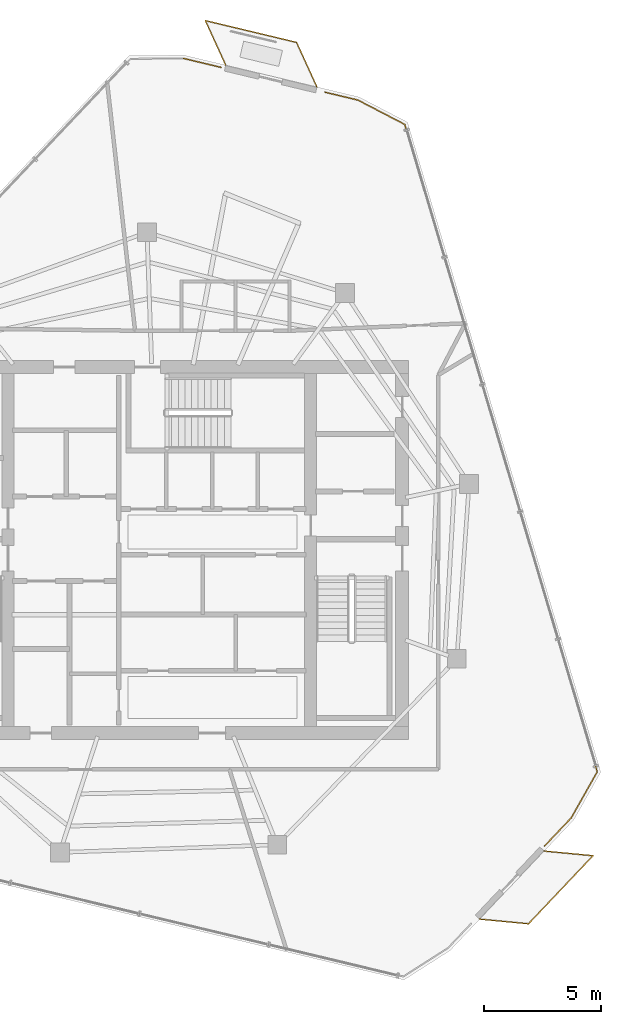
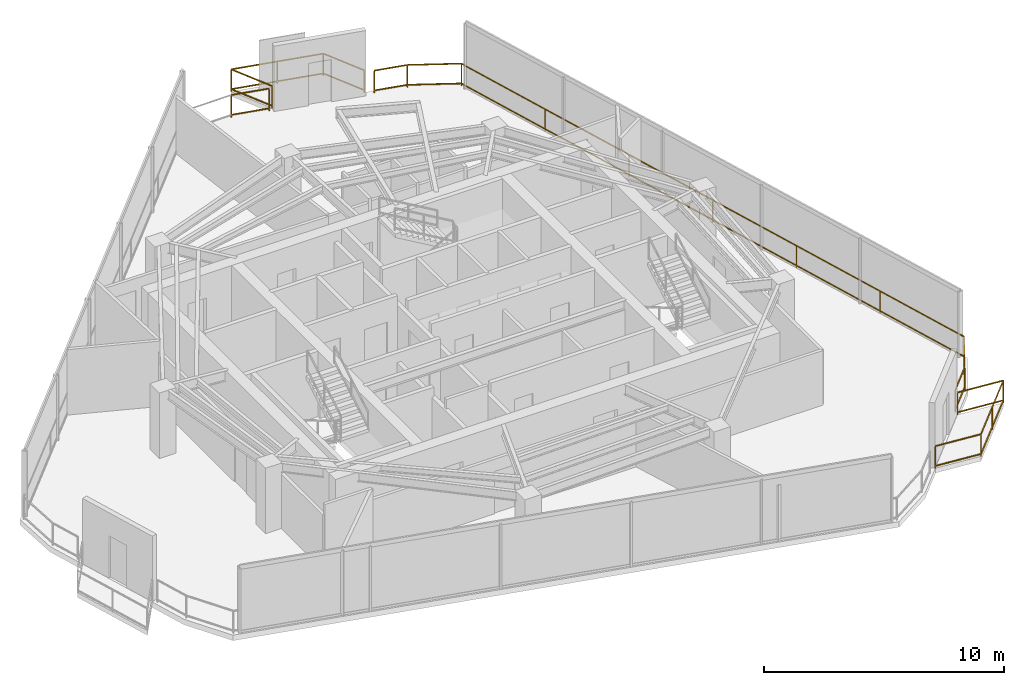
# One storey, part 18 of 18: 4 railings.
"""IFC4 building model written with IfcOpenShell, lengths in metres."""

from ifc_helpers import new_model, si_unit, direction, frame, origin, origin_2d, place, context, subcontext, project, spatial, rectangle, extrude, material, type_object, element, save


model = new_model("IFC4")

# Units and contexts
model_context = context("Model", 3, precision=1e-05, world=origin(), true_north=direction((0.0, 1.0)))
body_context = subcontext(model_context, "Body", "Model", "MODEL_VIEW")
ifc_project = project(units=[si_unit("LENGTHUNIT", "METRE"), si_unit("AREAUNIT", "SQUARE_METRE"), si_unit("VOLUMEUNIT", "CUBIC_METRE"), si_unit("PLANEANGLEUNIT", "RADIAN"), si_unit("MASSUNIT", "GRAM", prefix="KILO")], contexts=[model_context])

# Site, building, storey
site_placement = place(None, origin())
site = spatial("IfcSite", under=ifc_project, at=site_placement, CompositionType="ELEMENT")
building_placement = place(site_placement, origin())
building = spatial("IfcBuilding", under=site, at=building_placement, Name="Qarnah Convention Tower", CompositionType="ELEMENT")
storey_placement = place(building_placement, frame((0.0, 0.0, 242.699951171875)))
storey = spatial("IfcBuildingStorey", under=building, at=storey_placement, Name="L65", CompositionType="ELEMENT", Elevation=242.699951171875)

# Railings
ifc_material = material(Name="Black anodised aluminium", Category="aluminium")
railing_type = type_object("IfcRailingType", Name="RL-EXT-GUARD-1150", PredefinedType="GUARDRAIL", material=ifc_material)
railing_1_placement = place(storey_placement, frame((38.279052734375, 47.35595703125, 0.0)))
element("IfcRailing", 1, at=railing_1_placement, inside=storey, type_object=railing_type, Name="L65 slab-edge perimeter safety guard 01", PredefinedType="GUARDRAIL", context=body_context, shape_type="SweptSolid", body=[
    extrude(rectangle(XDim=0.048095703125, YDim=0.048095703125, at=origin_2d()), frame((0.0, 0.0, 1.1259765625), z_axis=(0.97261675535, -0.23241481711, 0.0), x_axis=(0.23241481711, 0.97261675535, 0.0)), (0.0, 0.0, 1.0), 1.648193359375),
    extrude(rectangle(XDim=0.048095703125, YDim=0.048095703125, at=origin_2d()), frame((0.0, 0.0, 0.1201171875), z_axis=(0.97261675535, -0.23241481711, 0.0), x_axis=(0.23241481711, 0.97261675535, 0.0)), (0.0, 0.0, 1.0), 1.648193359375),
    extrude(rectangle(XDim=0.0419921875, YDim=0.0419921875, at=origin_2d()), origin(), (0.0, 0.0, 1.0), 1.101806640625),
    extrude(rectangle(XDim=0.0419921875, YDim=0.0419921875, at=origin_2d()), frame((1.60302734375, -0.383056640625, 0.0)), (0.0, 0.0, 1.0), 1.101806640625),
])
railing_2_placement = place(storey_placement, frame((44.31396484375, 45.9140625, 0.0)))
element("IfcRailing", 2, at=railing_2_placement, inside=storey, type_object=railing_type, Name="L65 slab-edge perimeter safety guard 02", PredefinedType="GUARDRAIL", context=body_context, shape_type="SweptSolid", body=[
    extrude(rectangle(XDim=0.048095703125, YDim=0.048095703125, at=origin_2d()), frame((0.0, 0.0, 1.1259765625), z_axis=(0.972663966766, -0.232217156463, 0.0), x_axis=(0.232217156463, 0.972663966766, 0.0)), (0.0, 0.0, 1.0), 1.438232421875),
    extrude(rectangle(XDim=0.048095703125, YDim=0.048095703125, at=origin_2d()), frame((0.0, 0.0, 0.1201171875), z_axis=(0.972663966766, -0.232217156463, 0.0), x_axis=(0.232217156463, 0.972663966766, 0.0)), (0.0, 0.0, 1.0), 1.438232421875),
    extrude(rectangle(XDim=0.048095703125, YDim=0.048095703125, at=origin_2d()), frame((1.39892578125, -0.333984375, 1.1259765625), z_axis=(0.887387002609, -0.461025278699, 0.0), x_axis=(0.461025278699, 0.887387002609, 0.0)), (0.0, 0.0, 1.0), 2.25390625),
    extrude(rectangle(XDim=0.048095703125, YDim=0.048095703125, at=origin_2d()), frame((1.39892578125, -0.333984375, 0.1201171875), z_axis=(0.887387002609, -0.461025278699, 0.0), x_axis=(0.461025278699, 0.887387002609, 0.0)), (0.0, 0.0, 1.0), 2.25390625),
    extrude(rectangle(XDim=0.048095703125, YDim=0.048095703125, at=origin_2d()), frame((3.39892578125, -1.373046875, 1.1259765625), z_axis=(0.285022712561, -0.958520763116, 0.0), x_axis=(0.958520763116, 0.285022712561, 0.0)), (0.0, 0.0, 1.0), 28.783935546875),
    extrude(rectangle(XDim=0.048095703125, YDim=0.048095703125, at=origin_2d()), frame((3.39892578125, -1.373046875, 0.1201171875), z_axis=(0.285022712561, -0.958520763116, 0.0), x_axis=(0.958520763116, 0.285022712561, 0.0)), (0.0, 0.0, 1.0), 28.783935546875),
    extrude(rectangle(XDim=0.048095703125, YDim=0.048095703125, at=origin_2d()), frame((11.60302734375, -28.963134765625, 1.1259765625), z_axis=(-0.491207386642, -0.871042652979, 0.0), x_axis=(0.871042652979, -0.491207386642, 0.0)), (0.0, 0.0, 1.0), 2.25341796875),
    extrude(rectangle(XDim=0.048095703125, YDim=0.048095703125, at=origin_2d()), frame((11.60302734375, -28.963134765625, 0.1201171875), z_axis=(-0.491207386642, -0.871042652979, 0.0), x_axis=(0.871042652979, -0.491207386642, 0.0)), (0.0, 0.0, 1.0), 2.25341796875),
    extrude(rectangle(XDim=0.048095703125, YDim=0.048095703125, at=origin_2d()), frame((10.49609375, -30.926025390625, 1.1259765625), z_axis=(-0.687748754734, -0.72594879321, 0.0), x_axis=(0.72594879321, -0.687748754734, 0.0)), (0.0, 0.0, 1.0), 1.64892578125),
    extrude(rectangle(XDim=0.048095703125, YDim=0.048095703125, at=origin_2d()), frame((10.49609375, -30.926025390625, 0.1201171875), z_axis=(-0.687748754734, -0.72594879321, 0.0), x_axis=(0.72594879321, -0.687748754734, 0.0)), (0.0, 0.0, 1.0), 1.64892578125),
    extrude(rectangle(XDim=0.0419921875, YDim=0.0419921875, at=origin_2d()), origin(), (0.0, 0.0, 1.0), 1.101806640625),
    extrude(rectangle(XDim=0.0419921875, YDim=0.0419921875, at=origin_2d()), frame((1.39892578125, -0.333984375, 0.0)), (0.0, 0.0, 1.0), 1.101806640625),
    extrude(rectangle(XDim=0.0419921875, YDim=0.0419921875, at=origin_2d()), frame((3.39892578125, -1.373046875, 0.0)), (0.0, 0.0, 1.0), 1.101806640625),
    extrude(rectangle(XDim=0.0419921875, YDim=0.0419921875, at=origin_2d()), frame((4.766357421875, -5.971435546875, 0.0)), (0.0, 0.0, 1.0), 1.101806640625),
    extrude(rectangle(XDim=0.0419921875, YDim=0.0419921875, at=origin_2d()), frame((6.133544921875, -10.56982421875, 0.0)), (0.0, 0.0, 1.0), 1.101806640625),
    extrude(rectangle(XDim=0.0419921875, YDim=0.0419921875, at=origin_2d()), frame((7.5009765625, -15.16796875, 0.0)), (0.0, 0.0, 1.0), 1.101806640625),
    extrude(rectangle(XDim=0.0419921875, YDim=0.0419921875, at=origin_2d()), frame((8.868408203125, -19.766357421875, 0.0)), (0.0, 0.0, 1.0), 1.101806640625),
    extrude(rectangle(XDim=0.0419921875, YDim=0.0419921875, at=origin_2d()), frame((10.235595703125, -24.36474609375, 0.0)), (0.0, 0.0, 1.0), 1.101806640625),
    extrude(rectangle(XDim=0.0419921875, YDim=0.0419921875, at=origin_2d()), frame((11.60302734375, -28.963134765625, 0.0)), (0.0, 0.0, 1.0), 1.101806640625),
    extrude(rectangle(XDim=0.0419921875, YDim=0.0419921875, at=origin_2d()), frame((10.49609375, -30.926025390625, 0.0)), (0.0, 0.0, 1.0), 1.101806640625),
    extrude(rectangle(XDim=0.0419921875, YDim=0.0419921875, at=origin_2d()), frame((9.362060546875, -32.123046875, 0.0)), (0.0, 0.0, 1.0), 1.101806640625),
])
railing_3_placement = place(storey_placement, frame((40.08203125, 47.06396484375, 0.0)))
element("IfcRailing", 3, at=railing_3_placement, inside=storey, type_object=railing_type, Name="L65 balcony safety guard BAL-L65-C1", PredefinedType="GUARDRAIL", context=body_context, shape_type="SweptSolid", body=[
    extrude(rectangle(XDim=0.048095703125, YDim=0.048095703125, at=origin_2d()), frame((0.0, 0.0, 1.1259765625), z_axis=(-0.415462208151, 0.909610440572, 0.0), x_axis=(-0.909610440572, -0.415462208151, 0.0)), (0.0, 0.0, 1.0), 2.09423828125),
    extrude(rectangle(XDim=0.048095703125, YDim=0.048095703125, at=origin_2d()), frame((0.0, 0.0, 0.1201171875), z_axis=(-0.415462208151, 0.909610440572, 0.0), x_axis=(-0.909610440572, -0.415462208151, 0.0)), (0.0, 0.0, 1.0), 2.09423828125),
    extrude(rectangle(XDim=0.048095703125, YDim=0.048095703125, at=origin_2d()), frame((-0.8701171875, 1.905029296875, 1.1259765625), z_axis=(0.97259689759, -0.232497902782, 0.0), x_axis=(0.232497902782, 0.97259689759, 0.0)), (0.0, 0.0, 1.0), 3.999755859375),
    extrude(rectangle(XDim=0.048095703125, YDim=0.048095703125, at=origin_2d()), frame((-0.8701171875, 1.905029296875, 0.1201171875), z_axis=(0.97259689759, -0.232497902782, 0.0), x_axis=(0.232497902782, 0.97259689759, 0.0)), (0.0, 0.0, 1.0), 3.999755859375),
    extrude(rectangle(XDim=0.048095703125, YDim=0.048095703125, at=origin_2d()), frame((3.02001953125, 0.97509765625, 1.1259765625), z_axis=(0.415365750595, -0.90965449113, 0.0), x_axis=(0.90965449113, 0.415365750595, 0.0)), (0.0, 0.0, 1.0), 2.09423828125),
    extrude(rectangle(XDim=0.048095703125, YDim=0.048095703125, at=origin_2d()), frame((3.02001953125, 0.97509765625, 0.1201171875), z_axis=(0.415365750595, -0.90965449113, 0.0), x_axis=(0.90965449113, 0.415365750595, 0.0)), (0.0, 0.0, 1.0), 2.09423828125),
    extrude(rectangle(XDim=0.0419921875, YDim=0.0419921875, at=origin_2d()), origin(), (0.0, 0.0, 1.0), 1.101806640625),
    extrude(rectangle(XDim=0.0419921875, YDim=0.0419921875, at=origin_2d()), frame((-0.8701171875, 1.905029296875, 0.0)), (0.0, 0.0, 1.0), 1.101806640625),
    extrude(rectangle(XDim=0.0419921875, YDim=0.0419921875, at=origin_2d()), frame((1.074951171875, 1.43994140625, 0.0)), (0.0, 0.0, 1.0), 1.101806640625),
    extrude(rectangle(XDim=0.0419921875, YDim=0.0419921875, at=origin_2d()), frame((3.02001953125, 0.97509765625, 0.0)), (0.0, 0.0, 1.0), 1.101806640625),
    extrude(rectangle(XDim=0.0419921875, YDim=0.0419921875, at=origin_2d()), frame((3.889892578125, -0.929931640625, 0.0)), (0.0, 0.0, 1.0), 1.101806640625),
])
railing_4_placement = place(storey_placement, frame((53.655029296875, 13.572021484375, 0.0)))
element("IfcRailing", 4, at=railing_4_placement, inside=storey, type_object=railing_type, Name="L65 balcony safety guard BAL-L65-C3", PredefinedType="GUARDRAIL", context=body_context, shape_type="SweptSolid", body=[
    extrude(rectangle(XDim=0.048095703125, YDim=0.048095703125, at=origin_2d()), frame((0.0, 0.0, 1.1259765625), z_axis=(0.995516937597, -0.094583439127, 0.0), x_axis=(0.094583439127, 0.995516937597, 0.0)), (0.0, 0.0, 1.0), 2.09326171875),
    extrude(rectangle(XDim=0.048095703125, YDim=0.048095703125, at=origin_2d()), frame((0.0, 0.0, 0.1201171875), z_axis=(0.995516937597, -0.094583439127, 0.0), x_axis=(0.094583439127, 0.995516937597, 0.0)), (0.0, 0.0, 1.0), 2.09326171875),
    extrude(rectangle(XDim=0.048095703125, YDim=0.048095703125, at=origin_2d()), frame((2.083984375, -0.197998046875, 1.1259765625), z_axis=(-0.687463582244, -0.726218853438, 0.0), x_axis=(0.726218853438, -0.687463582244, 0.0)), (0.0, 0.0, 1.0), 4.000244140625),
    extrude(rectangle(XDim=0.048095703125, YDim=0.048095703125, at=origin_2d()), frame((2.083984375, -0.197998046875, 0.1201171875), z_axis=(-0.687463582244, -0.726218853438, 0.0), x_axis=(0.726218853438, -0.687463582244, 0.0)), (0.0, 0.0, 1.0), 4.000244140625),
    extrude(rectangle(XDim=0.048095703125, YDim=0.048095703125, at=origin_2d()), frame((-0.666015625, -3.10302734375, 1.1259765625), z_axis=(-0.995477117687, 0.095001621887, 0.0), x_axis=(-0.095001621887, -0.995477117687, 0.0)), (0.0, 0.0, 1.0), 2.094482421875),
    extrude(rectangle(XDim=0.048095703125, YDim=0.048095703125, at=origin_2d()), frame((-0.666015625, -3.10302734375, 0.1201171875), z_axis=(-0.995477117687, 0.095001621887, 0.0), x_axis=(-0.095001621887, -0.995477117687, 0.0)), (0.0, 0.0, 1.0), 2.094482421875),
    extrude(rectangle(XDim=0.0419921875, YDim=0.0419921875, at=origin_2d()), origin(), (0.0, 0.0, 1.0), 1.101806640625),
    extrude(rectangle(XDim=0.0419921875, YDim=0.0419921875, at=origin_2d()), frame((2.083984375, -0.197998046875, 0.0)), (0.0, 0.0, 1.0), 1.101806640625),
    extrude(rectangle(XDim=0.0419921875, YDim=0.0419921875, at=origin_2d()), frame((0.708984375, -1.650390625, 0.0)), (0.0, 0.0, 1.0), 1.101806640625),
    extrude(rectangle(XDim=0.0419921875, YDim=0.0419921875, at=origin_2d()), frame((-0.666015625, -3.10302734375, 0.0)), (0.0, 0.0, 1.0), 1.101806640625),
    extrude(rectangle(XDim=0.0419921875, YDim=0.0419921875, at=origin_2d()), frame((-2.7509765625, -2.904052734375, 0.0)), (0.0, 0.0, 1.0), 1.101806640625),
])

save(model, "model.ifc")
